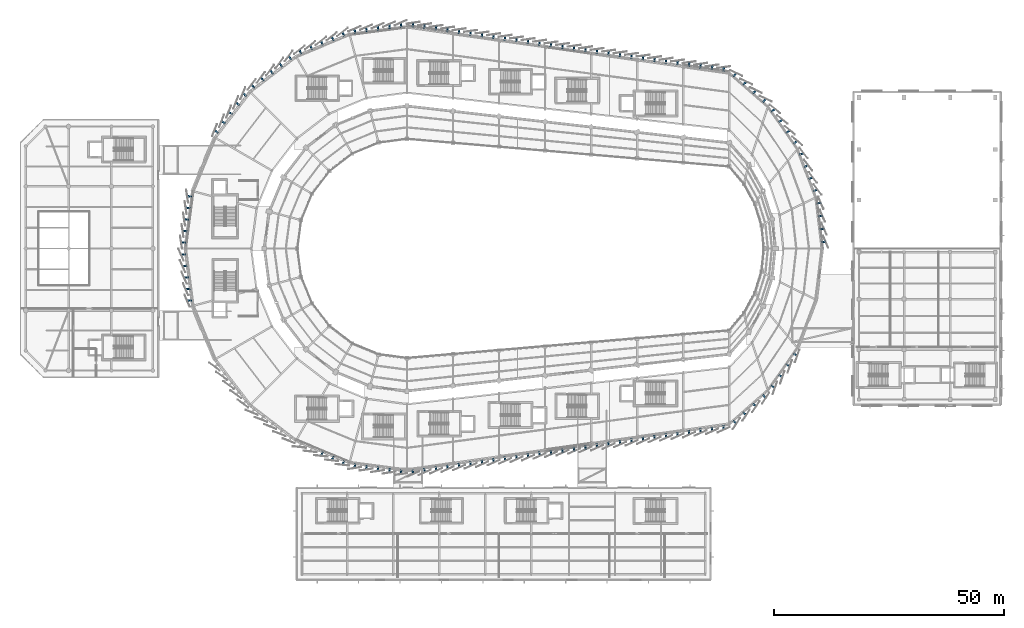
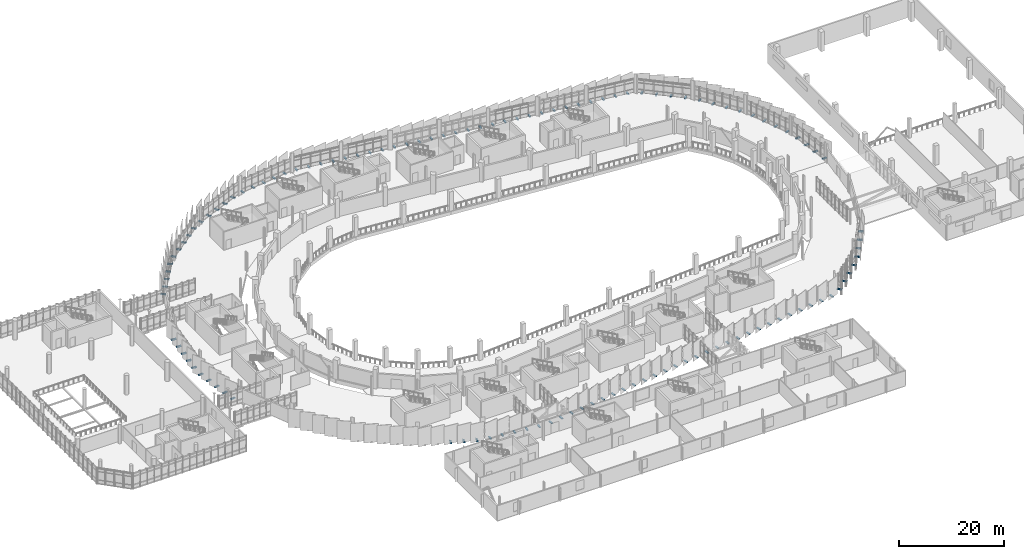
# One storey, part 113 of 125: 118 discrete accessories.
"""IFC4 building model written with IfcOpenShell, lengths in metres."""

from ifc_helpers import new_model, si_unit, direction, frame, origin, origin_2d, place, context, subcontext, project, spatial, rectangle, extrude, material, type_object, element, save


model = new_model("IFC4")

# Units and contexts
model_context = context("Model", 3, precision=1e-05, world=origin(), true_north=direction((0.0, 1.0)))
body_context = subcontext(model_context, "Body", "Model", "MODEL_VIEW")
ifc_project = project(units=[si_unit("LENGTHUNIT", "METRE"), si_unit("AREAUNIT", "SQUARE_METRE"), si_unit("VOLUMEUNIT", "CUBIC_METRE"), si_unit("PLANEANGLEUNIT", "RADIAN"), si_unit("MASSUNIT", "GRAM", prefix="KILO")], contexts=[model_context])

# Site, building, storey
site_placement = place(None, origin())
site = spatial("IfcSite", under=ifc_project, at=site_placement, CompositionType="ELEMENT")
building_placement = place(site_placement, origin())
building = spatial("IfcBuilding", under=site, at=building_placement, Name="Sohan Crest Arena", CompositionType="ELEMENT")
storey_placement = place(building_placement, frame((0.0, 0.0, 9.0)))
storey = spatial("IfcBuildingStorey", under=building, at=storey_placement, Name="L02", CompositionType="ELEMENT", Elevation=9.0)

# Discrete accessories
ifc_material = material(Name="Steel S355", Category="steel")
discrete_accessory_type = type_object("IfcDiscreteAccessoryType", Name="ARC-ACC-BRK1", PredefinedType="BRACKET", material=ifc_material)
for number, where, z_axis, x_axis, name in (
    (1, (96.7041015625, 126.60205078125, -0.22998046875), (0.0, 0.0, 1.0), (-0.991444861374, -0.13052619222, 0.0), "Ceramic scale carrier bracket BRK-0131"),
    (2, (94.196044921875, 126.27197265625, -0.22998046875), (0.0, 0.0, 1.0), (-0.991444861374, -0.13052619222, 0.0), "Ceramic scale carrier bracket BRK-0132"),
    (3, (91.68798828125, 125.94189453125, -0.22998046875), (0.0, 0.0, 1.0), (-0.991444861374, -0.13052619222, 0.0), "Ceramic scale carrier bracket BRK-0133"),
    (4, (89.179931640625, 125.612060546875, -0.22998046875), (0.0, 0.0, 1.0), (-0.991444861374, -0.13052619222, 0.0), "Ceramic scale carrier bracket BRK-0134"),
    (5, (86.672119140625, 125.281005859375, -0.22998046875), (0.0, 0.0, 1.0), (-0.991444861374, -0.13052619222, 0.0), "Ceramic scale carrier bracket BRK-0135"),
    (6, (84.1689453125, 124.611083984375, -0.22998046875), (0.0, 0.0, 1.0), (-0.923879532511, -0.382683432365, 0.0), "Ceramic scale carrier bracket BRK-0136"),
    (7, (81.83203125, 123.64306640625, -0.22998046875), (0.0, 0.0, 1.0), (-0.923879532511, -0.382683432365, 0.0), "Ceramic scale carrier bracket BRK-0137"),
    (8, (79.4951171875, 122.675048828125, -0.22998046875), (0.0, 0.0, 1.0), (-0.923879532511, -0.382683432365, 0.0), "Ceramic scale carrier bracket BRK-0138"),
    (9, (77.157958984375, 121.70703125, -0.22998046875), (0.0, 0.0, 1.0), (-0.923879532511, -0.382683432365, 0.0), "Ceramic scale carrier bracket BRK-0139"),
    (10, (74.821044921875, 120.739013671875, -0.22998046875), (0.0, 0.0, 1.0), (-0.923879532511, -0.382683432365, 0.0), "Ceramic scale carrier bracket BRK-0140"),
    (11, (72.576904296875, 119.443115234375, -0.22998046875), (0.0, 0.0, 1.0), (-0.793353340291, -0.608761429009, 0.0), "Ceramic scale carrier bracket BRK-0141"),
    (12, (70.570068359375, 117.903076171875, -0.22998046875), (0.0, 0.0, 1.0), (-0.793353340291, -0.608761429009, 0.0), "Ceramic scale carrier bracket BRK-0142"),
    (13, (68.56298828125, 116.363037109375, -0.22998046875), (0.0, 0.0, 1.0), (-0.793353340291, -0.608761429009, 0.0), "Ceramic scale carrier bracket BRK-0143"),
    (14, (66.555908203125, 114.822998046875, -0.22998046875), (0.0, 0.0, 1.0), (-0.793353340291, -0.608761429009, 0.0), "Ceramic scale carrier bracket BRK-0144"),
    (15, (64.550048828125, 113.282958984375, -0.22998046875), (0.0, 0.0, 1.0), (-0.793353340291, -0.608761429009, 0.0), "Ceramic scale carrier bracket BRK-0145"),
    (16, (62.717041015625, 111.449951171875, -0.22998046875), (0.0, 0.0, 1.0), (-0.608761429009, -0.793353340291, 0.0), "Ceramic scale carrier bracket BRK-0146"),
    (17, (61.177001953125, 109.444091796875, -0.22998046875), (0.0, 0.0, 1.0), (-0.608761429009, -0.793353340291, 0.0), "Ceramic scale carrier bracket BRK-0147"),
    (18, (59.636962890625, 107.43701171875, -0.22998046875), (0.0, 0.0, 1.0), (-0.608761429009, -0.793353340291, 0.0), "Ceramic scale carrier bracket BRK-0148"),
    (19, (58.096923828125, 105.429931640625, -0.22998046875), (0.0, 0.0, 1.0), (-0.608761429009, -0.793353340291, 0.0), "Ceramic scale carrier bracket BRK-0149"),
    (20, (56.556884765625, 103.423095703125, -0.22998046875), (0.0, 0.0, 1.0), (-0.608761429009, -0.793353340291, 0.0), "Ceramic scale carrier bracket BRK-0150"),
    (21, (50.718994140625, 89.327880859375, -0.22998046875), (0.0, 0.0, 1.0), (-0.13052619222, -0.991444861374, 0.0), "Ceramic scale carrier bracket BRK-0151"),
    (22, (50.387939453125, 86.820068359375, -0.22998046875), (0.0, 0.0, 1.0), (-0.13052619222, -0.991444861374, 0.0), "Ceramic scale carrier bracket BRK-0152"),
    (23, (50.05810546875, 84.31201171875, -0.22998046875), (0.0, 0.0, 1.0), (-0.13052619222, -0.991444861374, 0.0), "Ceramic scale carrier bracket BRK-0153"),
    (24, (49.72802734375, 81.803955078125, -0.22998046875), (0.0, 0.0, 1.0), (-0.13052619222, -0.991444861374, 0.0), "Ceramic scale carrier bracket BRK-0154"),
    (25, (49.39794921875, 79.2958984375, -0.22998046875), (0.0, 0.0, 1.0), (-0.13052619222, -0.991444861374, 0.0), "Ceramic scale carrier bracket BRK-0155"),
    (26, (49.39794921875, 76.7041015625, -0.22998046875), (0.0, 0.0, 1.0), (0.13052619222, -0.991444861374, 0.0), "Ceramic scale carrier bracket BRK-0156"),
    (27, (49.72802734375, 74.196044921875, -0.22998046875), (0.0, 0.0, 1.0), (0.13052619222, -0.991444861374, 0.0), "Ceramic scale carrier bracket BRK-0157"),
    (28, (50.05810546875, 71.68798828125, -0.22998046875), (0.0, 0.0, 1.0), (0.13052619222, -0.991444861374, 0.0), "Ceramic scale carrier bracket BRK-0158"),
    (29, (50.387939453125, 69.179931640625, -0.22998046875), (0.0, 0.0, 1.0), (0.13052619222, -0.991444861374, 0.0), "Ceramic scale carrier bracket BRK-0159"),
    (30, (50.718994140625, 66.672119140625, -0.22998046875), (0.0, 0.0, 1.0), (0.13052619222, -0.991444861374, 0.0), "Ceramic scale carrier bracket BRK-0160"),
    (31, (79.4951171875, 33.324951171875, -0.22998046875), (0.0, 0.0, 1.0), (0.923879532511, -0.382683432365, 0.0), "Ceramic scale carrier bracket BRK-0173"),
    (32, (81.83203125, 32.35693359375, -0.22998046875), (0.0, 0.0, 1.0), (0.923879532511, -0.382683432365, 0.0), "Ceramic scale carrier bracket BRK-0174"),
    (33, (84.1689453125, 31.388916015625, -0.22998046875), (0.0, 0.0, 1.0), (0.923879532511, -0.382683432365, 0.0), "Ceramic scale carrier bracket BRK-0175"),
    (34, (86.672119140625, 30.718994140625, -0.22998046875), (0.0, 0.0, 1.0), (0.991444861374, -0.13052619222, 0.0), "Ceramic scale carrier bracket BRK-0176"),
    (35, (89.179931640625, 30.387939453125, -0.22998046875), (0.0, 0.0, 1.0), (0.991444861374, -0.13052619222, 0.0), "Ceramic scale carrier bracket BRK-0177"),
    (36, (91.68798828125, 30.05810546875, -0.22998046875), (0.0, 0.0, 1.0), (0.991444861374, -0.13052619222, 0.0), "Ceramic scale carrier bracket BRK-0178"),
    (37, (94.196044921875, 29.72802734375, -0.22998046875), (0.0, 0.0, 1.0), (0.991444861374, -0.13052619222, 0.0), "Ceramic scale carrier bracket BRK-0179"),
    (38, (96.7041015625, 29.39794921875, -0.22998046875), (0.0, 0.0, 1.0), (0.991444861374, -0.13052619222, 0.0), "Ceramic scale carrier bracket BRK-0180"),
    (39, (99.294921875, 29.412109375, -0.22998046875), (0.0, 0.0, 1.0), (0.990023657717, 0.140901231938, 0.0), "Ceramic scale carrier bracket BRK-0181"),
    (40, (101.794921875, 29.76904296875, -0.22998046875), (0.0, 0.0, 1.0), (0.990023657717, 0.140901231938, 0.0), "Ceramic scale carrier bracket BRK-0182"),
    (41, (104.294921875, 30.1259765625, -0.22998046875), (0.0, 0.0, 1.0), (0.990023657717, 0.140901231938, 0.0), "Ceramic scale carrier bracket BRK-0183"),
    (42, (106.794921875, 30.48388671875, -0.22998046875), (0.0, 0.0, 1.0), (0.990023657717, 0.140901231938, 0.0), "Ceramic scale carrier bracket BRK-0184"),
    (43, (109.294921875, 30.841064453125, -0.22998046875), (0.0, 0.0, 1.0), (0.990023657717, 0.140901231938, 0.0), "Ceramic scale carrier bracket BRK-0185"),
    (44, (111.794921875, 31.197998046875, -0.22998046875), (0.0, 0.0, 1.0), (0.990023657717, 0.140901231938, 0.0), "Ceramic scale carrier bracket BRK-0186"),
    (45, (114.294921875, 31.554931640625, -0.22998046875), (0.0, 0.0, 1.0), (0.990023657717, 0.140901231938, 0.0), "Ceramic scale carrier bracket BRK-0187"),
    (46, (116.794921875, 31.912109375, -0.22998046875), (0.0, 0.0, 1.0), (0.990023657717, 0.140901231938, 0.0), "Ceramic scale carrier bracket BRK-0188"),
    (47, (119.294921875, 32.26904296875, -0.22998046875), (0.0, 0.0, 1.0), (0.990023657717, 0.140901231938, 0.0), "Ceramic scale carrier bracket BRK-0189"),
    (48, (121.794921875, 32.6259765625, -0.22998046875), (0.0, 0.0, 1.0), (0.990023657717, 0.140901231938, 0.0), "Ceramic scale carrier bracket BRK-0190"),
    (49, (124.294921875, 32.98291015625, -0.22998046875), (0.0, 0.0, 1.0), (0.990023657717, 0.140901231938, 0.0), "Ceramic scale carrier bracket BRK-0191"),
    (50, (126.794921875, 33.341064453125, -0.22998046875), (0.0, 0.0, 1.0), (0.990023657717, 0.140901231938, 0.0), "Ceramic scale carrier bracket BRK-0192"),
    (51, (129.294921875, 33.697998046875, -0.22998046875), (0.0, 0.0, 1.0), (0.990023657717, 0.140901231938, 0.0), "Ceramic scale carrier bracket BRK-0193"),
    (52, (131.794921875, 34.054931640625, -0.22998046875), (0.0, 0.0, 1.0), (0.990023657717, 0.140901231938, 0.0), "Ceramic scale carrier bracket BRK-0194"),
    (53, (134.294921875, 34.412109375, -0.22998046875), (0.0, 0.0, 1.0), (0.990023657717, 0.140901231938, 0.0), "Ceramic scale carrier bracket BRK-0195"),
    (54, (136.794921875, 34.76904296875, -0.22998046875), (0.0, 0.0, 1.0), (0.990023657717, 0.140901231938, 0.0), "Ceramic scale carrier bracket BRK-0196"),
    (55, (139.294921875, 35.1259765625, -0.22998046875), (0.0, 0.0, 1.0), (0.990023657717, 0.140901231938, 0.0), "Ceramic scale carrier bracket BRK-0197"),
    (56, (141.794921875, 35.48291015625, -0.22998046875), (0.0, 0.0, 1.0), (0.990023657717, 0.140901231938, 0.0), "Ceramic scale carrier bracket BRK-0198"),
    (57, (144.294921875, 35.840087890625, -0.22998046875), (0.0, 0.0, 1.0), (0.990023657717, 0.140901231938, 0.0), "Ceramic scale carrier bracket BRK-0199"),
    (58, (146.794921875, 36.197998046875, -0.22998046875), (0.0, 0.0, 1.0), (0.990023657717, 0.140901231938, 0.0), "Ceramic scale carrier bracket BRK-0200"),
    (59, (149.294921875, 36.554931640625, -0.22998046875), (0.0, 0.0, 1.0), (0.990023657717, 0.140901231938, 0.0), "Ceramic scale carrier bracket BRK-0201"),
    (60, (151.794921875, 36.912109375, -0.22998046875), (0.0, 0.0, 1.0), (0.990023657717, 0.140901231938, 0.0), "Ceramic scale carrier bracket BRK-0202"),
    (61, (154.294921875, 37.26904296875, -0.22998046875), (0.0, 0.0, 1.0), (0.990023657717, 0.140901231938, 0.0), "Ceramic scale carrier bracket BRK-0203"),
    (62, (156.794921875, 37.6259765625, -0.22998046875), (0.0, 0.0, 1.0), (0.990023657717, 0.140901231938, 0.0), "Ceramic scale carrier bracket BRK-0204"),
    (63, (159.294921875, 37.98291015625, -0.22998046875), (0.0, 0.0, 1.0), (0.990023657717, 0.140901231938, 0.0), "Ceramic scale carrier bracket BRK-0205"),
    (64, (161.794921875, 38.340087890625, -0.22998046875), (0.0, 0.0, 1.0), (0.990023657717, 0.140901231938, 0.0), "Ceramic scale carrier bracket BRK-0206"),
    (65, (164.294921875, 38.697021484375, -0.22998046875), (0.0, 0.0, 1.0), (0.990023657717, 0.140901231938, 0.0), "Ceramic scale carrier bracket BRK-0207"),
    (66, (166.794921875, 39.054931640625, -0.22998046875), (0.0, 0.0, 1.0), (0.990023657717, 0.140901231938, 0.0), "Ceramic scale carrier bracket BRK-0208"),
    (67, (169.27392578125, 40.237060546875, -0.22998046875), (0.0, 0.0, 1.0), (0.753563392302, 0.657375245794, 0.0), "Ceramic scale carrier bracket BRK-0209"),
    (68, (171.402099609375, 42.093994140625, -0.22998046875), (0.0, 0.0, 1.0), (0.753563392302, 0.657375245794, 0.0), "Ceramic scale carrier bracket BRK-0210"),
    (69, (173.529052734375, 43.950927734375, -0.22998046875), (0.0, 0.0, 1.0), (0.753563392302, 0.657375245794, 0.0), "Ceramic scale carrier bracket BRK-0211"),
    (70, (175.656982421875, 45.80810546875, -0.22998046875), (0.0, 0.0, 1.0), (0.753563392302, 0.657375245794, 0.0), "Ceramic scale carrier bracket BRK-0212"),
    (71, (177.5810546875, 47.951904296875, -0.22998046875), (0.0, 0.0, 1.0), (0.572145873446, 0.820151875874, 0.0), "Ceramic scale carrier bracket BRK-0213"),
    (72, (179.197021484375, 50.26708984375, -0.22998046875), (0.0, 0.0, 1.0), (0.572145873446, 0.820151875874, 0.0), "Ceramic scale carrier bracket BRK-0214"),
    (73, (180.81396484375, 52.5830078125, -0.22998046875), (0.0, 0.0, 1.0), (0.572145873446, 0.820151875874, 0.0), "Ceramic scale carrier bracket BRK-0215"),
    (74, (182.429931640625, 54.89794921875, -0.22998046875), (0.0, 0.0, 1.0), (0.572145873446, 0.820151875874, 0.0), "Ceramic scale carrier bracket BRK-0216"),
    (75, (188.534912109375, 79.43994140625, -0.22998046875), (0.0, 0.0, 1.0), (-0.121869343405, 0.992546151641, 0.0), "Ceramic scale carrier bracket BRK-0217"),
    (76, (188.19091796875, 82.242919921875, -0.22998046875), (0.0, 0.0, 1.0), (-0.121869343405, 0.992546151641, 0.0), "Ceramic scale carrier bracket BRK-0218"),
    (77, (187.847900390625, 85.0458984375, -0.22998046875), (0.0, 0.0, 1.0), (-0.121869343405, 0.992546151641, 0.0), "Ceramic scale carrier bracket BRK-0219"),
    (78, (187.50390625, 87.84912109375, -0.22998046875), (0.0, 0.0, 1.0), (-0.121869343405, 0.992546151641, 0.0), "Ceramic scale carrier bracket BRK-0220"),
    (79, (186.80908203125, 90.64501953125, -0.22998046875), (0.0, 0.0, 1.0), (-0.358367949545, 0.933580426497, 0.0), "Ceramic scale carrier bracket BRK-0221"),
    (80, (185.799072265625, 93.281982421875, -0.22998046875), (0.0, 0.0, 1.0), (-0.358367949545, 0.933580426497, 0.0), "Ceramic scale carrier bracket BRK-0222"),
    (81, (184.7890625, 95.919921875, -0.22998046875), (0.0, 0.0, 1.0), (-0.358367949545, 0.933580426497, 0.0), "Ceramic scale carrier bracket BRK-0223"),
    (82, (183.780029296875, 98.556884765625, -0.22998046875), (0.0, 0.0, 1.0), (-0.358367949545, 0.933580426497, 0.0), "Ceramic scale carrier bracket BRK-0224"),
    (83, (182.429931640625, 101.10205078125, -0.22998046875), (0.0, 0.0, 1.0), (-0.572145873446, 0.820151875874, 0.0), "Ceramic scale carrier bracket BRK-0225"),
    (84, (180.81396484375, 103.4169921875, -0.22998046875), (0.0, 0.0, 1.0), (-0.572145873446, 0.820151875874, 0.0), "Ceramic scale carrier bracket BRK-0226"),
    (85, (179.197021484375, 105.73291015625, -0.22998046875), (0.0, 0.0, 1.0), (-0.572145873446, 0.820151875874, 0.0), "Ceramic scale carrier bracket BRK-0227"),
    (86, (177.5810546875, 108.048095703125, -0.22998046875), (0.0, 0.0, 1.0), (-0.572145873446, 0.820151875874, 0.0), "Ceramic scale carrier bracket BRK-0228"),
    (87, (175.656982421875, 110.19189453125, -0.22998046875), (0.0, 0.0, 1.0), (-0.753563392302, 0.657375245794, 0.0), "Ceramic scale carrier bracket BRK-0229"),
    (88, (173.529052734375, 112.049072265625, -0.22998046875), (0.0, 0.0, 1.0), (-0.753563392302, 0.657375245794, 0.0), "Ceramic scale carrier bracket BRK-0230"),
    (89, (171.402099609375, 113.906005859375, -0.22998046875), (0.0, 0.0, 1.0), (-0.753563392302, 0.657375245794, 0.0), "Ceramic scale carrier bracket BRK-0231"),
    (90, (169.27392578125, 115.762939453125, -0.22998046875), (0.0, 0.0, 1.0), (-0.753563392302, 0.657375245794, 0.0), "Ceramic scale carrier bracket BRK-0232"),
    (91, (166.794921875, 116.945068359375, -0.22998046875), (0.0, 0.0, 1.0), (-0.990023657717, 0.140901231938, 0.0), "Ceramic scale carrier bracket BRK-0233"),
    (92, (164.294921875, 117.302978515625, -0.22998046875), (0.0, 0.0, 1.0), (-0.990023657717, 0.140901231938, 0.0), "Ceramic scale carrier bracket BRK-0234"),
    (93, (161.794921875, 117.659912109375, -0.22998046875), (0.0, 0.0, 1.0), (-0.990023657717, 0.140901231938, 0.0), "Ceramic scale carrier bracket BRK-0235"),
    (94, (159.294921875, 118.01708984375, -0.22998046875), (0.0, 0.0, 1.0), (-0.990023657717, 0.140901231938, 0.0), "Ceramic scale carrier bracket BRK-0236"),
    (95, (156.794921875, 118.3740234375, -0.22998046875), (0.0, 0.0, 1.0), (-0.990023657717, 0.140901231938, 0.0), "Ceramic scale carrier bracket BRK-0237"),
    (96, (154.294921875, 118.73095703125, -0.22998046875), (0.0, 0.0, 1.0), (-0.990023657717, 0.140901231938, 0.0), "Ceramic scale carrier bracket BRK-0238"),
    (97, (151.794921875, 119.087890625, -0.22998046875), (0.0, 0.0, 1.0), (-0.990023657717, 0.140901231938, 0.0), "Ceramic scale carrier bracket BRK-0239"),
    (98, (149.294921875, 119.445068359375, -0.22998046875), (0.0, 0.0, 1.0), (-0.990023657717, 0.140901231938, 0.0), "Ceramic scale carrier bracket BRK-0240"),
    (99, (146.794921875, 119.802001953125, -0.22998046875), (0.0, 0.0, 1.0), (-0.990023657717, 0.140901231938, 0.0), "Ceramic scale carrier bracket BRK-0241"),
    (100, (144.294921875, 120.159912109375, -0.22998046875), (0.0, 0.0, 1.0), (-0.990023657717, 0.140901231938, 0.0), "Ceramic scale carrier bracket BRK-0242"),
    (101, (141.794921875, 120.51708984375, -0.22998046875), (0.0, 0.0, 1.0), (-0.990023657717, 0.140901231938, 0.0), "Ceramic scale carrier bracket BRK-0243"),
    (102, (139.294921875, 120.8740234375, -0.22998046875), (0.0, 0.0, 1.0), (-0.990023657717, 0.140901231938, 0.0), "Ceramic scale carrier bracket BRK-0244"),
    (103, (136.794921875, 121.23095703125, -0.22998046875), (0.0, 0.0, 1.0), (-0.990023657717, 0.140901231938, 0.0), "Ceramic scale carrier bracket BRK-0245"),
    (104, (134.294921875, 121.587890625, -0.22998046875), (0.0, 0.0, 1.0), (-0.990023657717, 0.140901231938, 0.0), "Ceramic scale carrier bracket BRK-0246"),
    (105, (131.794921875, 121.945068359375, -0.22998046875), (0.0, 0.0, 1.0), (-0.990023657717, 0.140901231938, 0.0), "Ceramic scale carrier bracket BRK-0247"),
    (106, (129.294921875, 122.302001953125, -0.22998046875), (0.0, 0.0, 1.0), (-0.990023657717, 0.140901231938, 0.0), "Ceramic scale carrier bracket BRK-0248"),
    (107, (126.794921875, 122.658935546875, -0.22998046875), (0.0, 0.0, 1.0), (-0.990023657717, 0.140901231938, 0.0), "Ceramic scale carrier bracket BRK-0249"),
    (108, (124.294921875, 123.01708984375, -0.22998046875), (0.0, 0.0, 1.0), (-0.990023657717, 0.140901231938, 0.0), "Ceramic scale carrier bracket BRK-0250"),
    (109, (121.794921875, 123.3740234375, -0.22998046875), (0.0, 0.0, 1.0), (-0.990023657717, 0.140901231938, 0.0), "Ceramic scale carrier bracket BRK-0251"),
    (110, (119.294921875, 123.73095703125, -0.22998046875), (0.0, 0.0, 1.0), (-0.990023657717, 0.140901231938, 0.0), "Ceramic scale carrier bracket BRK-0252"),
    (111, (116.794921875, 124.087890625, -0.22998046875), (0.0, 0.0, 1.0), (-0.990023657717, 0.140901231938, 0.0), "Ceramic scale carrier bracket BRK-0253"),
    (112, (114.294921875, 124.445068359375, -0.22998046875), (0.0, 0.0, 1.0), (-0.990023657717, 0.140901231938, 0.0), "Ceramic scale carrier bracket BRK-0254"),
    (113, (111.794921875, 124.802001953125, -0.22998046875), (0.0, 0.0, 1.0), (-0.990023657717, 0.140901231938, 0.0), "Ceramic scale carrier bracket BRK-0255"),
    (114, (109.294921875, 125.158935546875, -0.22998046875), (0.0, 0.0, 1.0), (-0.990023657717, 0.140901231938, 0.0), "Ceramic scale carrier bracket BRK-0256"),
    (115, (106.794921875, 125.51611328125, -0.22998046875), (0.0, 0.0, 1.0), (-0.990023657717, 0.140901231938, 0.0), "Ceramic scale carrier bracket BRK-0257"),
    (116, (104.294921875, 125.8740234375, -0.22998046875), (0.0, 0.0, 1.0), (-0.990023657717, 0.140901231938, 0.0), "Ceramic scale carrier bracket BRK-0258"),
    (117, (101.794921875, 126.23095703125, -0.22998046875), (0.0, 0.0, 1.0), (-0.990023657717, 0.140901231938, 0.0), "Ceramic scale carrier bracket BRK-0259"),
    (118, (99.294921875, 126.587890625, -0.22998046875), (0.0, 0.0, 1.0), (-0.990023657717, 0.140901231938, 0.0), "Ceramic scale carrier bracket BRK-0260"),
):
    element("IfcDiscreteAccessory", number, at=place(storey_placement, frame(where, z_axis=z_axis, x_axis=x_axis)), inside=storey, type_object=discrete_accessory_type, Name=name, PredefinedType="BRACKET", context=body_context, shape_type="SweptSolid", body=[
        extrude(rectangle(XDim=0.35009765625, YDim=0.9599609375, at=origin_2d()), origin(), (0.0, 0.0, 1.0), 0.219970703125),
    ])

save(model, "model.ifc")
